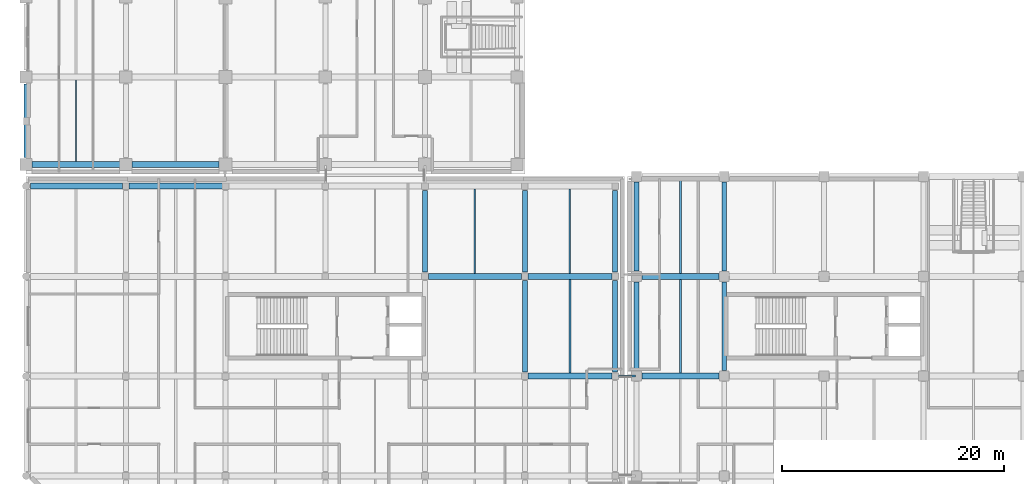
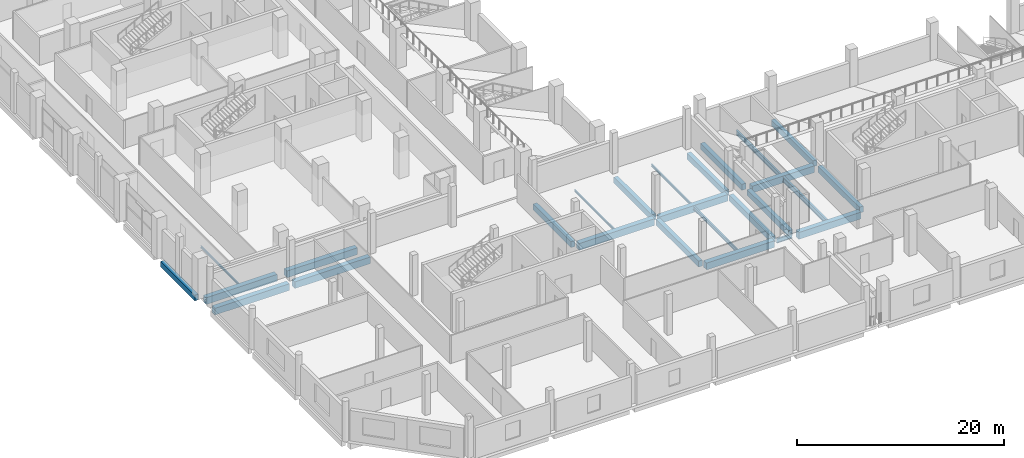
# One storey, part 6 of 100: 26 beams.
"""IFC4 building model written with IfcOpenShell, lengths in metres."""

from ifc_helpers import new_model, si_unit, direction, frame, origin, origin_2d, place, context, subcontext, project, spatial, rectangle, i_section, extrude, material, material_profile, profile_set, type_object, element, save


model = new_model("IFC4")

# Units and contexts
model_context = context("Model", 3, precision=1e-05, world=origin(), true_north=direction((0.0, 1.0)))
body_context = subcontext(model_context, "Body", "Model", "MODEL_VIEW")
ifc_project = project(units=[si_unit("LENGTHUNIT", "METRE"), si_unit("AREAUNIT", "SQUARE_METRE"), si_unit("VOLUMEUNIT", "CUBIC_METRE"), si_unit("PLANEANGLEUNIT", "RADIAN"), si_unit("MASSUNIT", "GRAM", prefix="KILO"), si_unit("THERMODYNAMICTEMPERATUREUNIT", "KELVIN"), si_unit("POWERUNIT", "WATT")], contexts=[model_context])

# Site, building, storey
site_placement = place(None, origin())
site = spatial("IfcSite", under=ifc_project, at=site_placement, CompositionType="ELEMENT")
building_placement = place(site_placement, origin())
building = spatial("IfcBuilding", under=site, at=building_placement, Name="Sindhuravela Promenade Stadium", CompositionType="ELEMENT")
storey_placement = place(building_placement, frame((0.0, 0.0, 4.800048828125)))
storey = spatial("IfcBuildingStorey", under=building, at=storey_placement, Name="L01", CompositionType="ELEMENT", Elevation=4.800048828125)

# Beams
ifc_material_1 = material(Name="Concrete M40", Category="concrete")
ifc_material_profile_1 = material_profile(ifc_material_1, rectangle(XDim=0.39990234375, YDim=0.64990234375, at=origin_2d()), Name="RC 400x650")
ifc_profile_set_1 = profile_set([ifc_material_profile_1], Name="Concrete M40")
beam_type_1 = type_object("IfcBeamType", Name="RC-BM-400x650", PredefinedType="SPANDREL", material=ifc_profile_set_1)
beam_1_placement = place(storey_placement, frame((0.0, 37.739990234375, -0.625), z_axis=(0.0, 1.0, 0.0), x_axis=(-1.0, 0.0, 0.0)))
element("IfcBeam", 1, at=beam_1_placement, inside=storey, type_object=beam_type_1, Name="Primary beam SP01 WEST L01", PredefinedType="SPANDREL", context=body_context, shape_type="SweptSolid", body=[
    extrude(rectangle(XDim=0.39990234375, YDim=0.64990234375, at=origin_2d()), origin(), (0.0, 0.0, 1.0), 6.6201171875),
])
ifc_material_profile_2 = material_profile(ifc_material_1, rectangle(XDim=0.449951171875, YDim=0.699951171875, at=origin_2d()), Name="RC 450x700")
ifc_profile_set_2 = profile_set([ifc_material_profile_2], Name="Concrete M40")
beam_type_2 = type_object("IfcBeamType", Name="RC-BM-450x700", PredefinedType="BEAM", material=ifc_profile_set_2)
for number, where, z_axis, x_axis, name in (
    (2, (55.10009765625, 18.489990234375, -0.650146484375), (0.0, 1.0, 0.0), (-1.0, 0.0, 0.0), "Primary beam GB07 SOUTH L01"),
    (3, (55.10009765625, 27.489990234375, -0.650146484375), (0.0, 1.0, 0.0), (-1.0, 0.0, 0.0), "Primary beam GB07 SOUTH L01"),
    (4, (63.0, 18.489990234375, -0.650146484375), (0.0, 1.0, 0.0), (-1.0, 0.0, 0.0), "Primary beam GB07 SOUTH L01"),
    (5, (63.0, 27.489990234375, -0.650146484375), (0.0, 1.0, 0.0), (-1.0, 0.0, 0.0), "Primary beam GB07 SOUTH L01"),
):
    element("IfcBeam", number, at=place(storey_placement, frame(where, z_axis=z_axis, x_axis=x_axis)), inside=storey, type_object=beam_type_2, Name=name, PredefinedType="BEAM", context=body_context, shape_type="SweptSolid", body=[
        extrude(rectangle(XDim=0.449951171875, YDim=0.699951171875, at=origin_2d()), origin(), (0.0, 0.0, 1.0), 8.02001953125),
    ])
beam_2_placement = place(storey_placement, frame((36.0, 27.389892578125, -0.650146484375), z_axis=(0.0, 1.0, 0.0), x_axis=(-1.0, 0.0, 0.0)))
element("IfcBeam", 6, at=beam_2_placement, inside=storey, type_object=beam_type_2, Name="Primary beam GB07 Pavilion SW L01", PredefinedType="BEAM", context=body_context, shape_type="SweptSolid", body=[
    extrude(rectangle(XDim=0.449951171875, YDim=0.699951171875, at=origin_2d()), origin(), (0.0, 0.0, 1.0), 7.3701171875),
])
beam_3_placement = place(storey_placement, frame((45.0, 18.389892578125, -0.650146484375), z_axis=(0.0, 1.0, 0.0), x_axis=(-1.0, 0.0, 0.0)))
element("IfcBeam", 7, at=beam_3_placement, inside=storey, type_object=beam_type_2, Name="Primary beam GB07 Pavilion SW L01", PredefinedType="BEAM", context=body_context, shape_type="SweptSolid", body=[
    extrude(rectangle(XDim=0.449951171875, YDim=0.699951171875, at=origin_2d()), origin(), (0.0, 0.0, 1.0), 8.22021484375),
])
beam_4_placement = place(storey_placement, frame((45.0, 27.389892578125, -0.650146484375), z_axis=(0.0, 1.0, 0.0), x_axis=(-1.0, 0.0, 0.0)))
element("IfcBeam", 8, at=beam_4_placement, inside=storey, type_object=beam_type_2, Name="Primary beam GB07 Pavilion SW L01", PredefinedType="BEAM", context=body_context, shape_type="SweptSolid", body=[
    extrude(rectangle(XDim=0.449951171875, YDim=0.699951171875, at=origin_2d()), origin(), (0.0, 0.0, 1.0), 7.3701171875),
])
beam_5_placement = place(storey_placement, frame((53.14990234375, 18.389892578125, -0.650146484375), z_axis=(0.0, 1.0, 0.0), x_axis=(-1.0, 0.0, 0.0)))
element("IfcBeam", 9, at=beam_5_placement, inside=storey, type_object=beam_type_2, Name="Primary beam GB07 Pavilion SW L01", PredefinedType="BEAM", context=body_context, shape_type="SweptSolid", body=[
    extrude(rectangle(XDim=0.449951171875, YDim=0.699951171875, at=origin_2d()), origin(), (0.0, 0.0, 1.0), 8.22021484375),
])
beam_6_placement = place(storey_placement, frame((53.14990234375, 27.389892578125, -0.650146484375), z_axis=(0.0, 1.0, 0.0), x_axis=(-1.0, 0.0, 0.0)))
element("IfcBeam", 10, at=beam_6_placement, inside=storey, type_object=beam_type_2, Name="Primary beam GB07 Pavilion SW L01", PredefinedType="BEAM", context=body_context, shape_type="SweptSolid", body=[
    extrude(rectangle(XDim=0.449951171875, YDim=0.699951171875, at=origin_2d()), origin(), (0.0, 0.0, 1.0), 7.3701171875),
])
ifc_material_profile_3 = material_profile(ifc_material_1, rectangle(XDim=0.550048828125, YDim=0.800048828125, at=origin_2d()), Name="RC 550x800")
ifc_profile_set_3 = profile_set([ifc_material_profile_3], Name="Concrete M40")
beam_type_3 = type_object("IfcBeamType", Name="RC-BM-550x800", PredefinedType="BEAM", material=ifc_profile_set_3)
beam_7_placement = place(storey_placement, frame((0.5400390625, 37.10009765625, -0.699951171875), z_axis=(1.0, 0.0, 0.0), x_axis=(0.0, 1.0, 0.0)))
element("IfcBeam", 11, at=beam_7_placement, inside=storey, type_object=beam_type_3, Name="Primary girder GB05 WEST L01", PredefinedType="BEAM", context=body_context, shape_type="SweptSolid", body=[
    extrude(rectangle(XDim=0.550048828125, YDim=0.800048828125, at=origin_2d()), origin(), (0.0, 0.0, 1.0), 7.919921875),
])
beam_8_placement = place(storey_placement, frame((9.5400390625, 37.10009765625, -0.699951171875), z_axis=(1.0, 0.0, 0.0), x_axis=(0.0, 1.0, 0.0)))
element("IfcBeam", 12, at=beam_8_placement, inside=storey, type_object=beam_type_3, Name="Primary girder GB05 WEST L01", PredefinedType="BEAM", context=body_context, shape_type="SweptSolid", body=[
    extrude(rectangle(XDim=0.550048828125, YDim=0.800048828125, at=origin_2d()), origin(), (0.0, 0.0, 1.0), 7.869873046875),
])
for number, where, z_axis, x_axis, name in (
    (13, (55.590087890625, 18.0, -0.699951171875), (1.0, 0.0, 0.0), (0.0, 1.0, 0.0), "Primary girder GB05 SOUTH L01"),
    (14, (55.590087890625, 27.0, -0.699951171875), (1.0, 0.0, 0.0), (0.0, 1.0, 0.0), "Primary girder GB05 SOUTH L01"),
):
    element("IfcBeam", number, at=place(storey_placement, frame(where, z_axis=z_axis, x_axis=x_axis)), inside=storey, type_object=beam_type_3, Name=name, PredefinedType="BEAM", context=body_context, shape_type="SweptSolid", body=[
        extrude(rectangle(XDim=0.550048828125, YDim=0.800048828125, at=origin_2d()), origin(), (0.0, 0.0, 1.0), 6.919921875),
    ])
beam_9_placement = place(storey_placement, frame((45.2900390625, 18.0, -0.699951171875), z_axis=(1.0, 0.0, 0.0), x_axis=(0.0, 1.0, 0.0)))
element("IfcBeam", 15, at=beam_9_placement, inside=storey, type_object=beam_type_3, Name="Primary girder GB05 Pavilion SW L01", PredefinedType="BEAM", context=body_context, shape_type="SweptSolid", body=[
    extrude(rectangle(XDim=0.550048828125, YDim=0.800048828125, at=origin_2d()), origin(), (0.0, 0.0, 1.0), 7.570068359375),
])
beam_10_placement = place(storey_placement, frame((36.2900390625, 27.0, -0.699951171875), z_axis=(1.0, 0.0, 0.0), x_axis=(0.0, 1.0, 0.0)))
element("IfcBeam", 16, at=beam_10_placement, inside=storey, type_object=beam_type_3, Name="Primary girder GB05 Pavilion SW L01", PredefinedType="BEAM", context=body_context, shape_type="SweptSolid", body=[
    extrude(rectangle(XDim=0.550048828125, YDim=0.800048828125, at=origin_2d()), origin(), (0.0, 0.0, 1.0), 8.419921875),
])
beam_11_placement = place(storey_placement, frame((45.2900390625, 27.0, -0.699951171875), z_axis=(1.0, 0.0, 0.0), x_axis=(0.0, 1.0, 0.0)))
element("IfcBeam", 17, at=beam_11_placement, inside=storey, type_object=beam_type_3, Name="Primary girder GB05 Pavilion SW L01", PredefinedType="BEAM", context=body_context, shape_type="SweptSolid", body=[
    extrude(rectangle(XDim=0.550048828125, YDim=0.800048828125, at=origin_2d()), origin(), (0.0, 0.0, 1.0), 7.570068359375),
])
beam_12_placement = place(storey_placement, frame((0.389892578125, 35.14990234375, -0.699951171875), z_axis=(1.0, 0.0, 0.0), x_axis=(0.0, 1.0, 0.0)))
element("IfcBeam", 18, at=beam_12_placement, inside=storey, type_object=beam_type_3, Name="Primary girder GB05 Pavilion SW L01", PredefinedType="BEAM", context=body_context, shape_type="SweptSolid", body=[
    extrude(rectangle(XDim=0.550048828125, YDim=0.800048828125, at=origin_2d()), origin(), (0.0, 0.0, 1.0), 8.320068359375),
])
beam_13_placement = place(storey_placement, frame((9.2900390625, 35.14990234375, -0.699951171875), z_axis=(1.0, 0.0, 0.0), x_axis=(0.0, 1.0, 0.0)))
element("IfcBeam", 19, at=beam_13_placement, inside=storey, type_object=beam_type_3, Name="Primary girder GB05 Pavilion SW L01", PredefinedType="BEAM", context=body_context, shape_type="SweptSolid", body=[
    extrude(rectangle(XDim=0.550048828125, YDim=0.800048828125, at=origin_2d()), origin(), (0.0, 0.0, 1.0), 8.419921875),
])
ifc_material_2 = material(Name="Steel E350 (IS 2062 E350BR)", Category="steel")
ifc_material_profile_4 = material_profile(ifc_material_2, i_section(OverallWidth=0.125, OverallDepth=0.25, WebThickness=0.0068359375, FlangeThickness=0.012451171875, FilletRadius=0.012939453125, at=origin_2d()), Name="ISMB 250")
ifc_profile_set_4 = profile_set([ifc_material_profile_4], Name="Steel E350 (IS 2062 E350BR)")
beam_type_4 = type_object("IfcBeamType", Name="ST-BM-MB250", PredefinedType="JOIST", material=ifc_profile_set_4)
beam_14_placement = place(storey_placement, frame((4.5, 37.364990234375, -0.425048828125), z_axis=(0.0, 1.0, 0.0), x_axis=(-1.0, 0.0, 0.0)))
element("IfcBeam", 20, at=beam_14_placement, inside=storey, type_object=beam_type_4, Name="Secondary floor joist SB02 WEST L01", PredefinedType="JOIST", context=body_context, shape_type="SweptSolid", body=[
    extrude(i_section(OverallWidth=0.125, OverallDepth=0.25, WebThickness=0.0068359375, FlangeThickness=0.012451171875, FilletRadius=0.012939453125, at=origin_2d()), origin(), (0.0, 0.0, 1.0), 7.3701171875),
])
beam_15_placement = place(storey_placement, frame((40.5, 27.264892578125, -0.425048828125), z_axis=(0.0, 1.0, 0.0), x_axis=(-1.0, 0.0, 0.0)))
element("IfcBeam", 21, at=beam_15_placement, inside=storey, type_object=beam_type_4, Name="Secondary floor joist SB02 Pavilion SW L01", PredefinedType="JOIST", context=body_context, shape_type="SweptSolid", body=[
    extrude(i_section(OverallWidth=0.125, OverallDepth=0.25, WebThickness=0.0068359375, FlangeThickness=0.012451171875, FilletRadius=0.012939453125, at=origin_2d()), origin(), (0.0, 0.0, 1.0), 7.6201171875),
])
ifc_material_profile_5 = material_profile(ifc_material_2, i_section(OverallWidth=0.139892578125, OverallDepth=0.300048828125, WebThickness=0.0078125, FlangeThickness=0.01318359375, FilletRadius=0.013916015625, at=origin_2d()), Name="ISMB 300")
ifc_profile_set_5 = profile_set([ifc_material_profile_5], Name="Steel E350 (IS 2062 E350BR)")
beam_type_5 = type_object("IfcBeamType", Name="ST-BM-MB300", PredefinedType="JOIST", material=ifc_profile_set_5)
beam_16_placement = place(storey_placement, frame((49.074951171875, 27.264892578125, -0.449951171875), z_axis=(0.0, 1.0, 0.0), x_axis=(-1.0, 0.0, 0.0)))
element("IfcBeam", 22, at=beam_16_placement, inside=storey, type_object=beam_type_5, Name="Secondary floor joist SB03 Pavilion SW L01", PredefinedType="JOIST", context=body_context, shape_type="SweptSolid", body=[
    extrude(i_section(OverallWidth=0.139892578125, OverallDepth=0.300048828125, WebThickness=0.0078125, FlangeThickness=0.01318359375, FilletRadius=0.013916015625, at=origin_2d()), origin(), (0.0, 0.0, 1.0), 7.6201171875),
])
ifc_material_profile_6 = material_profile(ifc_material_2, i_section(OverallWidth=0.14990234375, OverallDepth=0.449951171875, WebThickness=0.009521484375, FlangeThickness=0.017333984375, FilletRadius=0.014892578125, at=origin_2d()), Name="ISMB 450")
ifc_profile_set_6 = profile_set([ifc_material_profile_6], Name="Steel E350 (IS 2062 E350BR)")
beam_type_6 = type_object("IfcBeamType", Name="ST-BM-MB450", PredefinedType="BEAM", material=ifc_profile_set_6)
beam_17_placement = place(storey_placement, frame((49.074951171875, 18.264892578125, -0.525146484375), z_axis=(0.0, 1.0, 0.0), x_axis=(-1.0, 0.0, 0.0)))
element("IfcBeam", 23, at=beam_17_placement, inside=storey, type_object=beam_type_6, Name="Secondary floor joist SB06 Pavilion SW L01", PredefinedType="BEAM", context=body_context, shape_type="SweptSolid", body=[
    extrude(i_section(OverallWidth=0.14990234375, OverallDepth=0.449951171875, WebThickness=0.009521484375, FlangeThickness=0.017333984375, FilletRadius=0.014892578125, at=origin_2d()), origin(), (0.0, 0.0, 1.0), 8.47021484375),
])
ifc_material_profile_7 = material_profile(ifc_material_2, i_section(OverallWidth=0.179931640625, OverallDepth=0.5, WebThickness=0.01025390625, FlangeThickness=0.01708984375, FilletRadius=0.01708984375, at=origin_2d()), Name="ISMB 500")
ifc_profile_set_7 = profile_set([ifc_material_profile_7], Name="Steel E350 (IS 2062 E350BR)")
beam_type_7 = type_object("IfcBeamType", Name="ST-BM-MB500", PredefinedType="BEAM", material=ifc_profile_set_7)
beam_18_placement = place(storey_placement, frame((53.25, 18.0, -0.610107421875), z_axis=(1.0, 0.0, 0.0), x_axis=(0.0, 1.0, 0.0)))
element("IfcBeam", 24, at=beam_18_placement, inside=storey, type_object=beam_type_7, Name="Concourse link bridge L01 South-SW PTFE sliding girder T", PredefinedType="BEAM", context=body_context, shape_type="SweptSolid", body=[
    extrude(i_section(OverallWidth=0.179931640625, OverallDepth=0.5, WebThickness=0.01025390625, FlangeThickness=0.01708984375, FilletRadius=0.01708984375, at=origin_2d()), origin(), (0.0, 0.0, 1.0), 1.75),
])
ifc_material_profile_8 = material_profile(ifc_material_2, i_section(OverallWidth=0.18994140625, OverallDepth=0.550048828125, WebThickness=0.01123046875, FlangeThickness=0.019287109375, FilletRadius=0.01806640625, at=origin_2d()), Name="ISMB 550")
ifc_profile_set_8 = profile_set([ifc_material_profile_8], Name="Steel E350 (IS 2062 E350BR)")
beam_type_8 = type_object("IfcBeamType", Name="ST-BM-MB550", PredefinedType="SPANDREL", material=ifc_profile_set_8)
beam_19_placement = place(storey_placement, frame((59.050048828125, 27.264892578125, -0.574951171875), z_axis=(0.0, 1.0, 0.0), x_axis=(-1.0, 0.0, 0.0)))
element("IfcBeam", 25, at=beam_19_placement, inside=storey, type_object=beam_type_8, Name="Secondary floor joist SB08 SOUTH L01", PredefinedType="SPANDREL", context=body_context, shape_type="SweptSolid", body=[
    extrude(i_section(OverallWidth=0.18994140625, OverallDepth=0.550048828125, WebThickness=0.01123046875, FlangeThickness=0.019287109375, FilletRadius=0.01806640625, at=origin_2d()), origin(), (0.0, 0.0, 1.0), 8.47021484375),
])
ifc_material_profile_9 = material_profile(ifc_material_2, i_section(OverallWidth=0.2099609375, OverallDepth=0.60009765625, WebThickness=0.011962890625, FlangeThickness=0.020751953125, FilletRadius=0.02001953125, at=origin_2d()), Name="ISMB 600")
ifc_profile_set_9 = profile_set([ifc_material_profile_9], Name="Steel E350 (IS 2062 E350BR)")
beam_type_9 = type_object("IfcBeamType", Name="ST-BM-MB600", PredefinedType="BEAM", material=ifc_profile_set_9)
beam_20_placement = place(storey_placement, frame((59.050048828125, 18.264892578125, -0.60009765625), z_axis=(0.0, 1.0, 0.0), x_axis=(-1.0, 0.0, 0.0)))
element("IfcBeam", 26, at=beam_20_placement, inside=storey, type_object=beam_type_9, Name="Secondary floor joist SB09 SOUTH L01", PredefinedType="BEAM", context=body_context, shape_type="SweptSolid", body=[
    extrude(i_section(OverallWidth=0.2099609375, OverallDepth=0.60009765625, WebThickness=0.011962890625, FlangeThickness=0.020751953125, FilletRadius=0.02001953125, at=origin_2d()), origin(), (0.0, 0.0, 1.0), 8.47021484375),
])

save(model, "model.ifc")
